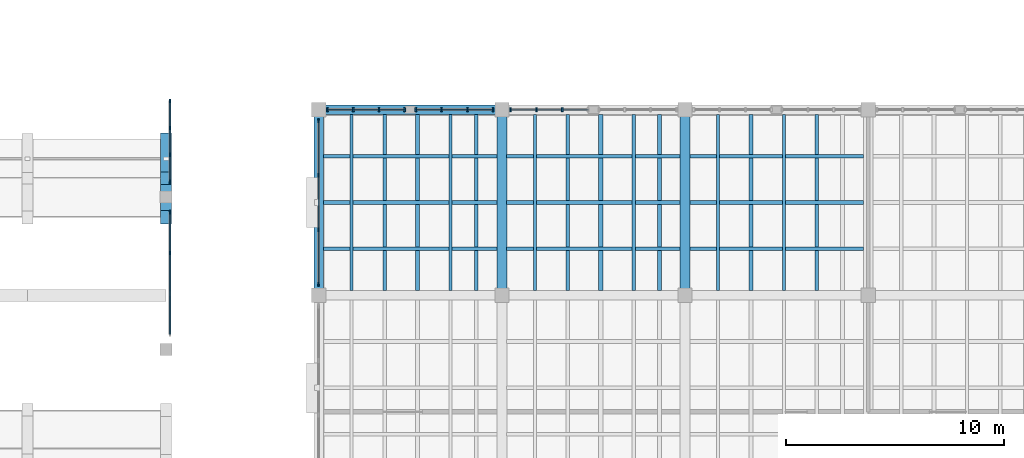
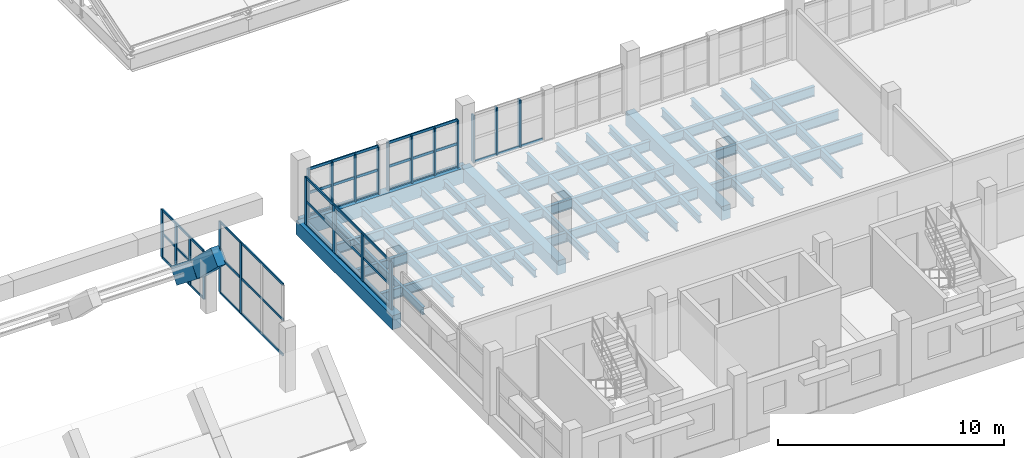
# One storey, part 9 of 48: 39 members, 27 beams, 6 elements without a shape of their own.
"""IFC4 building model written with IfcOpenShell, lengths in metres."""

from ifc_helpers import new_model, si_unit, direction, frame, origin, origin_2d, place, context, subcontext, project, spatial, rectangle, i_section, extrude, material, layer, layer_set, material_profile, profile_set, type_object, element, aggregate, save


model = new_model("IFC4")

# Units and contexts
model_context = context("Model", 3, precision=1e-05, world=origin(), true_north=direction((0.0, 1.0)))
body_context = subcontext(model_context, "Body", "Model", "MODEL_VIEW")
ifc_project = project(units=[si_unit("LENGTHUNIT", "METRE"), si_unit("AREAUNIT", "SQUARE_METRE"), si_unit("VOLUMEUNIT", "CUBIC_METRE"), si_unit("PLANEANGLEUNIT", "RADIAN"), si_unit("MASSUNIT", "GRAM", prefix="KILO")], contexts=[model_context])

# Site, building, storey
site_placement = place(None, origin())
site = spatial("IfcSite", under=ifc_project, at=site_placement, CompositionType="ELEMENT")
building_placement = place(site_placement, origin())
building = spatial("IfcBuilding", under=site, at=building_placement, Name="Trellovar Central Fire Station", CompositionType="ELEMENT")
storey_placement = place(building_placement, frame((0.0, 0.0, 9.300048828125)))
storey = spatial("IfcBuildingStorey", under=building, at=storey_placement, Name="L03", CompositionType="ELEMENT", Elevation=9.300048828125)

# Beams
ifc_material_1 = material(Name="Concrete C40/50", Category="concrete")
ifc_material_profile_1 = material_profile(ifc_material_1, rectangle(XDim=0.449951171875, YDim=0.800048828125, at=origin_2d()), Name="RC450X800")
ifc_profile_set_1 = profile_set([ifc_material_profile_1], Name="Concrete C40/50")
beam_type_1 = type_object("IfcBeamType", Name="BM-G1", PredefinedType="BEAM", material=ifc_profile_set_1)
beam_placement = place(storey_placement, frame((105.5, 33.0, -0.400146484375), z_axis=(1.0, 0.0, 0.0), x_axis=(0.0, 1.0, 0.0)))
element("IfcBeam", 1, at=beam_placement, inside=storey, type_object=beam_type_1, Name="L03 beam G-1", PredefinedType="BEAM", context=body_context, shape_type="SweptSolid", body=[
    extrude(rectangle(XDim=0.449951171875, YDim=0.800048828125, at=origin_2d()), origin(), (0.0, 0.0, 1.0), 8.39990234375),
])
ifc_material_2 = material(Name="Concrete C40/50", Category="concrete")
ifc_material_profile_2 = material_profile(ifc_material_2, rectangle(XDim=0.449951171875, YDim=0.75, at=origin_2d()), Name="RC450X750")
ifc_profile_set_2 = profile_set([ifc_material_profile_2], Name="Concrete C40/50")
beam_type_2 = type_object("IfcBeamType", Name="BM-G2", PredefinedType="BEAM", material=ifc_profile_set_2)
for number, where, z_axis, x_axis, name in (
    (2, (105.5, 24.5, -0.375), (0.0, 1.0, 0.0), (-1.0, 0.0, 0.0), "L03 beam G-2"),
    (3, (113.89990234375, 24.5, -0.375), (0.0, 1.0, 0.0), (-1.0, 0.0, 0.0), "L03 beam G-2"),
    (4, (122.300048828125, 24.5, -0.375), (0.0, 1.0, 0.0), (-1.0, 0.0, 0.0), "L03 beam G-2"),
):
    element("IfcBeam", number, at=place(storey_placement, frame(where, z_axis=z_axis, x_axis=x_axis)), inside=storey, type_object=beam_type_2, Name=name, PredefinedType="BEAM", context=body_context, shape_type="SweptSolid", body=[
        extrude(rectangle(XDim=0.449951171875, YDim=0.75, at=origin_2d()), origin(), (0.0, 0.0, 1.0), 8.5),
    ])
ifc_material_3 = material(Name="Steel ASTM A992 Grade 50", Category="steel")
ifc_material_profile_3 = material_profile(ifc_material_3, i_section(OverallWidth=0.15283203125, OverallDepth=0.45458984375, WebThickness=0.008056640625, FlangeThickness=0.01318359375, FilletRadius=0.0126953125, at=origin_2d()), Name="W18X40")
ifc_profile_set_3 = profile_set([ifc_material_profile_3], Name="Steel ASTM A992 Grade 50")
beam_type_3 = type_object("IfcBeamType", Name="BM-SW10", PredefinedType="JOIST", material=ifc_profile_set_3)
for number, where, z_axis, x_axis, name in (
    (5, (111.548095703125, 24.719970703125, -0.487548828125), (0.0, 1.0, 0.0), (-1.0, 0.0, 0.0), "L03 secondary steel deck joist"),
    (6, (119.947998046875, 24.719970703125, -0.487548828125), (0.0, 1.0, 0.0), (-1.0, 0.0, 0.0), "L03 secondary steel deck joist"),
    (7, (123.81201171875, 24.719970703125, -0.487548828125), (0.0, 1.0, 0.0), (-1.0, 0.0, 0.0), "L03 secondary steel deck joist"),
):
    element("IfcBeam", number, at=place(storey_placement, frame(where, z_axis=z_axis, x_axis=x_axis)), inside=storey, type_object=beam_type_3, Name=name, PredefinedType="JOIST", context=body_context, shape_type="SweptSolid", body=[
        extrude(i_section(OverallWidth=0.15283203125, OverallDepth=0.45458984375, WebThickness=0.008056640625, FlangeThickness=0.01318359375, FilletRadius=0.0126953125, at=origin_2d()), origin(), (0.0, 0.0, 1.0), 8.06005859375),
    ])
ifc_material_4 = material(Name="Steel ASTM A992 Grade 50", Category="steel")
ifc_material_profile_4 = material_profile(ifc_material_4, i_section(OverallWidth=0.177490234375, OverallDepth=0.40380859375, WebThickness=0.007568359375, FlangeThickness=0.010986328125, FilletRadius=0.011474609375, at=origin_2d()), Name="W16X36")
ifc_profile_set_4 = profile_set([ifc_material_profile_4], Name="Steel ASTM A992 Grade 50")
beam_type_4 = type_object("IfcBeamType", Name="BM-SW11", PredefinedType="JOIST", material=ifc_profile_set_4)
for number, where, z_axis, x_axis, name in (
    (8, (112.72412109375, 24.719970703125, -0.462158203125), (0.0, 1.0, 0.0), (-1.0, 0.0, 0.0), "L03 secondary steel deck joist"),
    (9, (121.1240234375, 24.719970703125, -0.462158203125), (0.0, 1.0, 0.0), (-1.0, 0.0, 0.0), "L03 secondary steel deck joist"),
    (10, (125.323974609375, 24.719970703125, -0.462158203125), (0.0, 1.0, 0.0), (-1.0, 0.0, 0.0), "L03 secondary steel deck joist"),
):
    element("IfcBeam", number, at=place(storey_placement, frame(where, z_axis=z_axis, x_axis=x_axis)), inside=storey, type_object=beam_type_4, Name=name, PredefinedType="JOIST", context=body_context, shape_type="SweptSolid", body=[
        extrude(i_section(OverallWidth=0.177490234375, OverallDepth=0.40380859375, WebThickness=0.007568359375, FlangeThickness=0.010986328125, FilletRadius=0.011474609375, at=origin_2d()), origin(), (0.0, 0.0, 1.0), 8.06005859375),
    ])
ifc_material_5 = material(Name="Steel ASTM A992 Grade 50", Category="steel")
ifc_material_profile_5 = material_profile(ifc_material_5, i_section(OverallWidth=0.140380859375, OverallDepth=0.4033203125, WebThickness=0.007080078125, FlangeThickness=0.01123046875, FilletRadius=0.011474609375, at=origin_2d()), Name="W16X31")
ifc_profile_set_5 = profile_set([ifc_material_profile_5], Name="Steel ASTM A992 Grade 50")
beam_type_5 = type_object("IfcBeamType", Name="BM-SW12", PredefinedType="JOIST", material=ifc_profile_set_5)
for number, where, z_axis, x_axis, name in (
    (11, (107.011962890625, 24.719970703125, -0.461669921875), (0.0, 1.0, 0.0), (-1.0, 0.0, 0.0), "L03 secondary steel deck joist"),
    (12, (115.412109375, 24.719970703125, -0.461669921875), (0.0, 1.0, 0.0), (-1.0, 0.0, 0.0), "L03 secondary steel deck joist"),
    (13, (126.8359375, 24.719970703125, -0.461669921875), (0.0, 1.0, 0.0), (-1.0, 0.0, 0.0), "L03 secondary steel deck joist"),
):
    element("IfcBeam", number, at=place(storey_placement, frame(where, z_axis=z_axis, x_axis=x_axis)), inside=storey, type_object=beam_type_5, Name=name, PredefinedType="JOIST", context=body_context, shape_type="SweptSolid", body=[
        extrude(i_section(OverallWidth=0.140380859375, OverallDepth=0.4033203125, WebThickness=0.007080078125, FlangeThickness=0.01123046875, FilletRadius=0.011474609375, at=origin_2d()), origin(), (0.0, 0.0, 1.0), 8.06005859375),
    ])
ifc_material_6 = material(Name="Steel ASTM A992 Grade 50", Category="steel")
ifc_material_profile_6 = material_profile(ifc_material_6, i_section(OverallWidth=0.166015625, OverallDepth=0.529052734375, WebThickness=0.009765625, FlangeThickness=0.013671875, FilletRadius=0.013916015625, at=origin_2d()), Name="W21X50")
ifc_profile_set_6 = profile_set([ifc_material_profile_6], Name="Steel ASTM A992 Grade 50")
beam_type_6 = type_object("IfcBeamType", Name="BM-SW8", PredefinedType="JOIST", material=ifc_profile_set_6)
for number, where, z_axis, x_axis, name in (
    (14, (105.719970703125, 26.625, -0.524658203125), (1.0, 0.0, 0.0), (0.0, 1.0, 0.0), "L03 beam SB-8"),
    (15, (105.719970703125, 28.75, -0.524658203125), (1.0, 0.0, 0.0), (0.0, 1.0, 0.0), "L03 beam SB-8"),
    (16, (105.719970703125, 30.875, -0.524658203125), (1.0, 0.0, 0.0), (0.0, 1.0, 0.0), "L03 beam SB-8"),
    (17, (114.1201171875, 26.625, -0.524658203125), (1.0, 0.0, 0.0), (0.0, 1.0, 0.0), "L03 beam SB-8"),
    (18, (114.1201171875, 28.75, -0.524658203125), (1.0, 0.0, 0.0), (0.0, 1.0, 0.0), "L03 beam SB-8"),
    (19, (114.1201171875, 30.875, -0.524658203125), (1.0, 0.0, 0.0), (0.0, 1.0, 0.0), "L03 beam SB-8"),
    (20, (122.52001953125, 26.625, -0.524658203125), (1.0, 0.0, 0.0), (0.0, 1.0, 0.0), "L03 beam SB-8"),
    (21, (122.52001953125, 28.75, -0.524658203125), (1.0, 0.0, 0.0), (0.0, 1.0, 0.0), "L03 beam SB-8"),
    (22, (122.52001953125, 30.875, -0.524658203125), (1.0, 0.0, 0.0), (0.0, 1.0, 0.0), "L03 beam SB-8"),
):
    element("IfcBeam", number, at=place(storey_placement, frame(where, z_axis=z_axis, x_axis=x_axis)), inside=storey, type_object=beam_type_6, Name=name, PredefinedType="JOIST", context=body_context, shape_type="SweptSolid", body=[
        extrude(i_section(OverallWidth=0.166015625, OverallDepth=0.529052734375, WebThickness=0.009765625, FlangeThickness=0.013671875, FilletRadius=0.013916015625, at=origin_2d()), origin(), (0.0, 0.0, 1.0), 7.9599609375),
    ])
for number, where, z_axis, x_axis, name in (
    (23, (108.52392578125, 24.719970703125, -0.524658203125), (0.0, 1.0, 0.0), (-1.0, 0.0, 0.0), "L03 secondary steel deck joist"),
    (24, (116.924072265625, 24.719970703125, -0.524658203125), (0.0, 1.0, 0.0), (-1.0, 0.0, 0.0), "L03 secondary steel deck joist"),
    (25, (128.347900390625, 24.719970703125, -0.524658203125), (0.0, 1.0, 0.0), (-1.0, 0.0, 0.0), "L03 secondary steel deck joist"),
):
    element("IfcBeam", number, at=place(storey_placement, frame(where, z_axis=z_axis, x_axis=x_axis)), inside=storey, type_object=beam_type_6, Name=name, PredefinedType="JOIST", context=body_context, shape_type="SweptSolid", body=[
        extrude(i_section(OverallWidth=0.166015625, OverallDepth=0.529052734375, WebThickness=0.009765625, FlangeThickness=0.013671875, FilletRadius=0.013916015625, at=origin_2d()), origin(), (0.0, 0.0, 1.0), 8.06005859375),
    ])
ifc_material_7 = material(Name="Steel ASTM A992 Grade 50", Category="steel")
ifc_material_profile_7 = material_profile(ifc_material_7, i_section(OverallWidth=0.1904296875, OverallDepth=0.457275390625, WebThickness=0.009033203125, FlangeThickness=0.014404296875, FilletRadius=0.0126953125, at=origin_2d()), Name="W18X50")
ifc_profile_set_7 = profile_set([ifc_material_profile_7], Name="Steel ASTM A992 Grade 50")
beam_type_7 = type_object("IfcBeamType", Name="BM-SW9", PredefinedType="JOIST", material=ifc_profile_set_7)
for number, where, z_axis, x_axis, name in (
    (26, (110.035888671875, 24.719970703125, -0.48876953125), (0.0, 1.0, 0.0), (-1.0, 0.0, 0.0), "L03 secondary steel deck joist"),
    (27, (118.43603515625, 24.719970703125, -0.48876953125), (0.0, 1.0, 0.0), (-1.0, 0.0, 0.0), "L03 secondary steel deck joist"),
):
    element("IfcBeam", number, at=place(storey_placement, frame(where, z_axis=z_axis, x_axis=x_axis)), inside=storey, type_object=beam_type_7, Name=name, PredefinedType="JOIST", context=body_context, shape_type="SweptSolid", body=[
        extrude(i_section(OverallWidth=0.1904296875, OverallDepth=0.457275390625, WebThickness=0.009033203125, FlangeThickness=0.014404296875, FilletRadius=0.0126953125, at=origin_2d()), origin(), (0.0, 0.0, 1.0), 8.06005859375),
    ])

# Curtain wall, members
ifc_material_8 = material(Name="Thermally broken bronze anodized aluminum", Category="aluminium")
ifc_layer_1 = layer(ifc_material_8, 0.159912109375)
ifc_layer_set_1 = layer_set([ifc_layer_1], Name="Thermally broken bronze anodized aluminum")
curtain_wall_type_1 = type_object("IfcCurtainWallType", Name="CW-09", PredefinedType="NOTDEFINED", material=ifc_layer_set_1)
curtain_wall_1_placement = place(storey_placement, origin())
curtain_wall_1 = element("IfcCurtainWall", 28, at=curtain_wall_1_placement, inside=storey, type_object=curtain_wall_type_1, Name="L03 curtain wall CW-9", PredefinedType="NOTDEFINED")
ifc_material_9 = material(Name="Thermally broken bronze anodized aluminum", Category="aluminium")
ifc_material_profile_8 = material_profile(ifc_material_9, rectangle(XDim=0.074951171875, YDim=0.199951171875, at=origin_2d()), Name="ALU75X200")
ifc_profile_set_8 = profile_set([ifc_material_profile_8], Name="Thermally broken bronze anodized aluminum")
member_type_1 = type_object("IfcMemberType", Name="CWM-1", PredefinedType="MULLION", material=ifc_profile_set_8)
member_1_placement = place(storey_placement, frame((113.5, 33.0, 0.0), z_axis=(0.0, 0.0, 1.0), x_axis=(1.0, 0.0, 0.0)))
member_1 = element("IfcMember", 29, at=member_1_placement, type_object=member_type_1, Name="CW3-L03-0076 mullion 1", PredefinedType="MULLION", context=body_context, shape_type="SweptSolid", body=[
    extrude(rectangle(XDim=0.074951171875, YDim=0.199951171875, at=origin_2d()), origin(), (0.0, 0.0, 1.0), 2.550048828125),
])
member_2_placement = place(storey_placement, frame((112.316650390625, 33.0, 0.0), z_axis=(0.0, 0.0, 1.0), x_axis=(1.0, 0.0, 0.0)))
member_2 = element("IfcMember", 30, at=member_2_placement, type_object=member_type_1, Name="CW3-L03-0076 mullion 2", PredefinedType="MULLION", context=body_context, shape_type="SweptSolid", body=[
    extrude(rectangle(XDim=0.074951171875, YDim=0.199951171875, at=origin_2d()), origin(), (0.0, 0.0, 1.0), 2.550048828125),
])
member_3_placement = place(storey_placement, frame((111.13330078125, 33.0, 0.0), z_axis=(0.0, 0.0, 1.0), x_axis=(1.0, 0.0, 0.0)))
member_3 = element("IfcMember", 31, at=member_3_placement, type_object=member_type_1, Name="CW3-L03-0076 mullion 3", PredefinedType="MULLION", context=body_context, shape_type="SweptSolid", body=[
    extrude(rectangle(XDim=0.074951171875, YDim=0.199951171875, at=origin_2d()), origin(), (0.0, 0.0, 1.0), 2.550048828125),
])
member_4_placement = place(storey_placement, frame((109.949951171875, 33.0, 0.0), z_axis=(0.0, 0.0, 1.0), x_axis=(1.0, 0.0, 0.0)))
member_4 = element("IfcMember", 32, at=member_4_placement, type_object=member_type_1, Name="CW3-L03-0076 mullion 4", PredefinedType="MULLION", context=body_context, shape_type="SweptSolid", body=[
    extrude(rectangle(XDim=0.074951171875, YDim=0.199951171875, at=origin_2d()), origin(), (0.0, 0.0, 1.0), 2.550048828125),
])

ifc_material_10 = material(Name="Thermally broken bronze anodized aluminum", Category="aluminium")
ifc_layer_2 = layer(ifc_material_10, 0.159912109375)
ifc_layer_set_2 = layer_set([ifc_layer_2], Name="Thermally broken bronze anodized aluminum")
curtain_wall_type_2 = type_object("IfcCurtainWallType", Name="CW-10", PredefinedType="NOTDEFINED", material=ifc_layer_set_2)
curtain_wall_2_placement = place(storey_placement, origin())
curtain_wall_2 = element("IfcCurtainWall", 33, at=curtain_wall_2_placement, inside=storey, type_object=curtain_wall_type_2, Name="L03 curtain wall CW-10", PredefinedType="NOTDEFINED")
member_5_placement = place(storey_placement, frame((109.449951171875, 33.0, 0.0), z_axis=(0.0, 0.0, 1.0), x_axis=(1.0, 0.0, 0.0)))
member_5 = element("IfcMember", 34, at=member_5_placement, type_object=member_type_1, Name="CW3-L03-0077 mullion 1", PredefinedType="MULLION", context=body_context, shape_type="SweptSolid", body=[
    extrude(rectangle(XDim=0.074951171875, YDim=0.199951171875, at=origin_2d()), origin(), (0.0, 0.0, 1.0), 2.550048828125),
])
member_6_placement = place(storey_placement, frame((108.2666015625, 33.0, 0.0), z_axis=(0.0, 0.0, 1.0), x_axis=(1.0, 0.0, 0.0)))
member_6 = element("IfcMember", 35, at=member_6_placement, type_object=member_type_1, Name="CW3-L03-0077 mullion 2", PredefinedType="MULLION", context=body_context, shape_type="SweptSolid", body=[
    extrude(rectangle(XDim=0.074951171875, YDim=0.199951171875, at=origin_2d()), origin(), (0.0, 0.0, 1.0), 2.550048828125),
])
member_7_placement = place(storey_placement, frame((107.083251953125, 33.0, 0.0), z_axis=(0.0, 0.0, 1.0), x_axis=(1.0, 0.0, 0.0)))
member_7 = element("IfcMember", 36, at=member_7_placement, type_object=member_type_1, Name="CW3-L03-0077 mullion 3", PredefinedType="MULLION", context=body_context, shape_type="SweptSolid", body=[
    extrude(rectangle(XDim=0.074951171875, YDim=0.199951171875, at=origin_2d()), origin(), (0.0, 0.0, 1.0), 2.550048828125),
])
member_8_placement = place(storey_placement, frame((105.89990234375, 33.0, 0.0), z_axis=(0.0, 0.0, 1.0), x_axis=(1.0, 0.0, 0.0)))
member_8 = element("IfcMember", 37, at=member_8_placement, type_object=member_type_1, Name="CW3-L03-0077 mullion 4", PredefinedType="MULLION", context=body_context, shape_type="SweptSolid", body=[
    extrude(rectangle(XDim=0.074951171875, YDim=0.199951171875, at=origin_2d()), origin(), (0.0, 0.0, 1.0), 2.550048828125),
])

curtain_wall_3_placement = place(storey_placement, origin())
curtain_wall_3 = element("IfcCurtainWall", 38, at=curtain_wall_3_placement, inside=storey, type_object=curtain_wall_type_2, Name="L03 curtain wall CW-10", PredefinedType="NOTDEFINED")
member_9_placement = place(storey_placement, frame((116.666748046875, 33.0, 0.0), z_axis=(0.0, 0.0, 1.0), x_axis=(1.0, 0.0, 0.0)))
member_9 = element("IfcMember", 39, at=member_9_placement, type_object=member_type_1, Name="CW3-L03-0079 mullion 2", PredefinedType="MULLION", context=body_context, shape_type="SweptSolid", body=[
    extrude(rectangle(XDim=0.074951171875, YDim=0.199951171875, at=origin_2d()), origin(), (0.0, 0.0, 1.0), 2.550048828125),
])
member_10_placement = place(storey_placement, frame((115.4833984375, 33.0, 0.0), z_axis=(0.0, 0.0, 1.0), x_axis=(1.0, 0.0, 0.0)))
member_10 = element("IfcMember", 40, at=member_10_placement, type_object=member_type_1, Name="CW3-L03-0079 mullion 3", PredefinedType="MULLION", context=body_context, shape_type="SweptSolid", body=[
    extrude(rectangle(XDim=0.074951171875, YDim=0.199951171875, at=origin_2d()), origin(), (0.0, 0.0, 1.0), 2.550048828125),
])
member_11_placement = place(storey_placement, frame((114.300048828125, 33.0, 0.0), z_axis=(0.0, 0.0, 1.0), x_axis=(1.0, 0.0, 0.0)))
member_11 = element("IfcMember", 41, at=member_11_placement, type_object=member_type_1, Name="CW3-L03-0079 mullion 4", PredefinedType="MULLION", context=body_context, shape_type="SweptSolid", body=[
    extrude(rectangle(XDim=0.074951171875, YDim=0.199951171875, at=origin_2d()), origin(), (0.0, 0.0, 1.0), 2.550048828125),
])

ifc_material_11 = material(Name="Thermally broken bronze anodized aluminum", Category="aluminium")
ifc_layer_3 = layer(ifc_material_11, 0.159912109375)
ifc_layer_set_3 = layer_set([ifc_layer_3], Name="Thermally broken bronze anodized aluminum")
curtain_wall_type_3 = type_object("IfcCurtainWallType", Name="CW-12", PredefinedType="NOTDEFINED", material=ifc_layer_set_3)
curtain_wall_4_placement = place(storey_placement, origin())
curtain_wall_4 = element("IfcCurtainWall", 42, at=curtain_wall_4_placement, inside=storey, type_object=curtain_wall_type_3, Name="V5 L03 west courtyard curtain wall", PredefinedType="NOTDEFINED")
member_12_placement = place(storey_placement, frame((105.5, 32.5, 0.0), z_axis=(0.0, 0.0, 1.0), x_axis=(1.0, 0.0, 0.0)))
member_12 = element("IfcMember", 43, at=member_12_placement, type_object=member_type_1, Name="CW3-L03-0088 mullion 1", PredefinedType="MULLION", context=body_context, shape_type="SweptSolid", body=[
    extrude(rectangle(XDim=0.074951171875, YDim=0.199951171875, at=origin_2d()), origin(), (0.0, 0.0, 1.0), 2.550048828125),
])
member_13_placement = place(storey_placement, frame((105.5, 30.0, 0.0), z_axis=(0.0, 0.0, 1.0), x_axis=(1.0, 0.0, 0.0)))
member_13 = element("IfcMember", 44, at=member_13_placement, type_object=member_type_1, Name="CW3-L03-0088 mullion 2", PredefinedType="MULLION", context=body_context, shape_type="SweptSolid", body=[
    extrude(rectangle(XDim=0.074951171875, YDim=0.199951171875, at=origin_2d()), origin(), (0.0, 0.0, 1.0), 2.550048828125),
])
member_14_placement = place(storey_placement, frame((105.5, 27.5, 0.0), z_axis=(0.0, 0.0, 1.0), x_axis=(1.0, 0.0, 0.0)))
member_14 = element("IfcMember", 45, at=member_14_placement, type_object=member_type_1, Name="CW3-L03-0088 mullion 3", PredefinedType="MULLION", context=body_context, shape_type="SweptSolid", body=[
    extrude(rectangle(XDim=0.074951171875, YDim=0.199951171875, at=origin_2d()), origin(), (0.0, 0.0, 1.0), 2.550048828125),
])
member_15_placement = place(storey_placement, frame((105.5, 25.0, 0.0), z_axis=(0.0, 0.0, 1.0), x_axis=(1.0, 0.0, 0.0)))
member_15 = element("IfcMember", 46, at=member_15_placement, type_object=member_type_1, Name="CW3-L03-0088 mullion 4", PredefinedType="MULLION", context=body_context, shape_type="SweptSolid", body=[
    extrude(rectangle(XDim=0.074951171875, YDim=0.199951171875, at=origin_2d()), origin(), (0.0, 0.0, 1.0), 2.550048828125),
])

ifc_material_12 = material(Name="Thermally broken bronze anodized aluminum", Category="aluminium")
ifc_layer_4 = layer(ifc_material_12, 0.159912109375)
ifc_layer_set_4 = layer_set([ifc_layer_4], Name="Thermally broken bronze anodized aluminum")
curtain_wall_type_4 = type_object("IfcCurtainWallType", Name="CW-04", PredefinedType="NOTDEFINED", material=ifc_layer_set_4)
curtain_wall_5_placement = place(storey_placement, origin())
curtain_wall_5 = element("IfcCurtainWall", 47, at=curtain_wall_5_placement, inside=storey, type_object=curtain_wall_type_4, Name="V1 E ski-jump gable clerestory 2", PredefinedType="NOTDEFINED")
ifc_material_13 = material(Name="Thermally broken bronze anodized aluminum", Category="aluminium")
ifc_material_profile_9 = material_profile(ifc_material_13, rectangle(XDim=0.06494140625, YDim=0.175048828125, at=origin_2d()), Name="ALU65X175")
ifc_profile_set_9 = profile_set([ifc_material_profile_9], Name="Thermally broken bronze anodized aluminum")
member_type_2 = type_object("IfcMemberType", Name="CWM-2", PredefinedType="MULLION", material=ifc_profile_set_9)
member_16_placement = place(storey_placement, frame((98.679931640625, 26.433349609375, 1.300048828125), z_axis=(0.0, 0.0, 1.0), x_axis=(1.0, 0.0, 0.0)))
member_16 = element("IfcMember", 48, at=member_16_placement, type_object=member_type_2, Name="CW3-L03-0017 mullion 3", PredefinedType="MULLION", context=body_context, shape_type="SweptSolid", body=[
    extrude(rectangle(XDim=0.06494140625, YDim=0.175048828125, at=origin_2d()), origin(), (0.0, 0.0, 1.0), 3.7998046875),
])
member_17_placement = place(storey_placement, frame((98.679931640625, 28.300048828125, 1.300048828125), z_axis=(0.0, 0.0, 1.0), x_axis=(1.0, 0.0, 0.0)))
member_17 = element("IfcMember", 49, at=member_17_placement, type_object=member_type_2, Name="CW3-L03-0017 mullion 4", PredefinedType="MULLION", context=body_context, shape_type="SweptSolid", body=[
    extrude(rectangle(XDim=0.06494140625, YDim=0.175048828125, at=origin_2d()), origin(), (0.0, 0.0, 1.0), 3.7998046875),
])

ifc_material_14 = material(Name="Thermally broken bronze anodized aluminum", Category="aluminium")
ifc_layer_5 = layer(ifc_material_14, 0.159912109375)
ifc_layer_set_5 = layer_set([ifc_layer_5], Name="Thermally broken bronze anodized aluminum")
curtain_wall_type_5 = type_object("IfcCurtainWallType", Name="CW-08", PredefinedType="NOTDEFINED", material=ifc_layer_set_5)
curtain_wall_6_placement = place(storey_placement, origin())
curtain_wall_6 = element("IfcCurtainWall", 50, at=curtain_wall_6_placement, inside=storey, type_object=curtain_wall_type_5, Name="V1 E ski-jump gable clerestory 3", PredefinedType="NOTDEFINED")
member_18_placement = place(storey_placement, frame((98.679931640625, 29.699951171875, 0.099853515625), z_axis=(0.0, 0.0, 1.0), x_axis=(1.0, 0.0, 0.0)))
member_18 = element("IfcMember", 51, at=member_18_placement, type_object=member_type_2, Name="CW3-L03-0018 mullion 1", PredefinedType="MULLION", context=body_context, shape_type="SweptSolid", body=[
    extrude(rectangle(XDim=0.06494140625, YDim=0.175048828125, at=origin_2d()), origin(), (0.0, 0.0, 1.0), 2.550048828125),
])
member_19_placement = place(storey_placement, frame((98.679931640625, 30.933349609375, 0.099853515625), z_axis=(0.0, 0.0, 1.0), x_axis=(1.0, 0.0, 0.0)))
member_19 = element("IfcMember", 52, at=member_19_placement, type_object=member_type_2, Name="CW3-L03-0018 mullion 2", PredefinedType="MULLION", context=body_context, shape_type="SweptSolid", body=[
    extrude(rectangle(XDim=0.06494140625, YDim=0.175048828125, at=origin_2d()), origin(), (0.0, 0.0, 1.0), 2.550048828125),
])
member_20_placement = place(storey_placement, frame((98.679931640625, 32.166748046875, 0.099853515625), z_axis=(0.0, 0.0, 1.0), x_axis=(1.0, 0.0, 0.0)))
member_20 = element("IfcMember", 53, at=member_20_placement, type_object=member_type_2, Name="CW3-L03-0018 mullion 3", PredefinedType="MULLION", context=body_context, shape_type="SweptSolid", body=[
    extrude(rectangle(XDim=0.06494140625, YDim=0.175048828125, at=origin_2d()), origin(), (0.0, 0.0, 1.0), 2.550048828125),
])
member_21_placement = place(storey_placement, frame((98.679931640625, 33.39990234375, 0.099853515625), z_axis=(0.0, 0.0, 1.0), x_axis=(1.0, 0.0, 0.0)))
member_21 = element("IfcMember", 54, at=member_21_placement, type_object=member_type_2, Name="CW3-L03-0018 mullion 4", PredefinedType="MULLION", context=body_context, shape_type="SweptSolid", body=[
    extrude(rectangle(XDim=0.06494140625, YDim=0.175048828125, at=origin_2d()), origin(), (0.0, 0.0, 1.0), 2.550048828125),
])

# Member
ifc_material_15 = material(Name="Thermally broken bronze anodized aluminum", Category="aluminium")
ifc_material_profile_10 = material_profile(ifc_material_15, rectangle(XDim=0.06005859375, YDim=0.139892578125, at=origin_2d()), Name="ALU60X140")
ifc_profile_set_10 = profile_set([ifc_material_profile_10], Name="Thermally broken bronze anodized aluminum")
member_type_3 = type_object("IfcMemberType", Name="CWT-1", PredefinedType="USERDEFINED", material=ifc_profile_set_10)
member_22_placement = place(storey_placement, frame((113.5, 33.0, 0.0), z_axis=(-1.0, 0.0, 0.0), x_axis=(0.0, -1.0, 0.0)))
member_22 = element("IfcMember", 55, at=member_22_placement, type_object=member_type_3, Name="CW3-L03-0076 transom 1", ObjectType="TRANSOM", PredefinedType="USERDEFINED", context=body_context, shape_type="SweptSolid", body=[
    extrude(rectangle(XDim=0.06005859375, YDim=0.139892578125, at=origin_2d()), origin(), (0.0, 0.0, 1.0), 3.550048828125),
])

member_23_placement = place(storey_placement, frame((113.5, 33.0, 1.27490234375), z_axis=(-1.0, 0.0, 0.0), x_axis=(0.0, -1.0, 0.0)))
member_23 = element("IfcMember", 56, at=member_23_placement, type_object=member_type_3, Name="CW3-L03-0076 transom 2", ObjectType="TRANSOM", PredefinedType="USERDEFINED", context=body_context, shape_type="SweptSolid", body=[
    extrude(rectangle(XDim=0.06005859375, YDim=0.139892578125, at=origin_2d()), origin(), (0.0, 0.0, 1.0), 3.550048828125),
])

member_24_placement = place(storey_placement, frame((113.5, 33.0, 2.550048828125), z_axis=(-1.0, 0.0, 0.0), x_axis=(0.0, -1.0, 0.0)))
member_24 = element("IfcMember", 57, at=member_24_placement, type_object=member_type_3, Name="CW3-L03-0076 transom 3", ObjectType="TRANSOM", PredefinedType="USERDEFINED", context=body_context, shape_type="SweptSolid", body=[
    extrude(rectangle(XDim=0.06005859375, YDim=0.139892578125, at=origin_2d()), origin(), (0.0, 0.0, 1.0), 3.550048828125),
])

aggregate(curtain_wall_1, [member_1, member_2, member_3, member_4, member_22, member_23, member_24])

member_25_placement = place(storey_placement, frame((109.449951171875, 33.0, 0.0), z_axis=(-1.0, 0.0, 0.0), x_axis=(0.0, -1.0, 0.0)))
member_25 = element("IfcMember", 58, at=member_25_placement, type_object=member_type_3, Name="CW3-L03-0077 transom 1", ObjectType="TRANSOM", PredefinedType="USERDEFINED", context=body_context, shape_type="SweptSolid", body=[
    extrude(rectangle(XDim=0.06005859375, YDim=0.139892578125, at=origin_2d()), origin(), (0.0, 0.0, 1.0), 3.550048828125),
])

member_26_placement = place(storey_placement, frame((109.449951171875, 33.0, 1.27490234375), z_axis=(-1.0, 0.0, 0.0), x_axis=(0.0, -1.0, 0.0)))
member_26 = element("IfcMember", 59, at=member_26_placement, type_object=member_type_3, Name="CW3-L03-0077 transom 2", ObjectType="TRANSOM", PredefinedType="USERDEFINED", context=body_context, shape_type="SweptSolid", body=[
    extrude(rectangle(XDim=0.06005859375, YDim=0.139892578125, at=origin_2d()), origin(), (0.0, 0.0, 1.0), 3.550048828125),
])

member_27_placement = place(storey_placement, frame((109.449951171875, 33.0, 2.550048828125), z_axis=(-1.0, 0.0, 0.0), x_axis=(0.0, -1.0, 0.0)))
member_27 = element("IfcMember", 60, at=member_27_placement, type_object=member_type_3, Name="CW3-L03-0077 transom 3", ObjectType="TRANSOM", PredefinedType="USERDEFINED", context=body_context, shape_type="SweptSolid", body=[
    extrude(rectangle(XDim=0.06005859375, YDim=0.139892578125, at=origin_2d()), origin(), (0.0, 0.0, 1.0), 3.550048828125),
])

aggregate(curtain_wall_2, [member_5, member_6, member_7, member_8, member_25, member_26, member_27])

member_28_placement = place(storey_placement, frame((117.85009765625, 33.0, 0.0), z_axis=(-1.0, 0.0, 0.0), x_axis=(0.0, -1.0, 0.0)))
member_28 = element("IfcMember", 61, at=member_28_placement, type_object=member_type_3, Name="CW3-L03-0079 transom 1", ObjectType="TRANSOM", PredefinedType="USERDEFINED", context=body_context, shape_type="SweptSolid", body=[
    extrude(rectangle(XDim=0.06005859375, YDim=0.139892578125, at=origin_2d()), origin(), (0.0, 0.0, 1.0), 3.550048828125),
])

aggregate(curtain_wall_3, [member_9, member_10, member_11, member_28])

member_29_placement = place(storey_placement, frame((105.5, 32.5, 0.0), z_axis=(0.0, -1.0, 0.0), x_axis=(1.0, 0.0, 0.0)))
member_29 = element("IfcMember", 62, at=member_29_placement, type_object=member_type_3, Name="CW3-L03-0088 transom 1", ObjectType="TRANSOM", PredefinedType="USERDEFINED", context=body_context, shape_type="SweptSolid", body=[
    extrude(rectangle(XDim=0.06005859375, YDim=0.139892578125, at=origin_2d()), origin(), (0.0, 0.0, 1.0), 7.5),
])

member_30_placement = place(storey_placement, frame((105.5, 32.5, 1.27490234375), z_axis=(0.0, -1.0, 0.0), x_axis=(1.0, 0.0, 0.0)))
member_30 = element("IfcMember", 63, at=member_30_placement, type_object=member_type_3, Name="CW3-L03-0088 transom 2", ObjectType="TRANSOM", PredefinedType="USERDEFINED", context=body_context, shape_type="SweptSolid", body=[
    extrude(rectangle(XDim=0.06005859375, YDim=0.139892578125, at=origin_2d()), origin(), (0.0, 0.0, 1.0), 7.5),
])

member_31_placement = place(storey_placement, frame((105.5, 32.5, 2.550048828125), z_axis=(0.0, -1.0, 0.0), x_axis=(1.0, 0.0, 0.0)))
member_31 = element("IfcMember", 64, at=member_31_placement, type_object=member_type_3, Name="CW3-L03-0088 transom 3", ObjectType="TRANSOM", PredefinedType="USERDEFINED", context=body_context, shape_type="SweptSolid", body=[
    extrude(rectangle(XDim=0.06005859375, YDim=0.139892578125, at=origin_2d()), origin(), (0.0, 0.0, 1.0), 7.5),
])

aggregate(curtain_wall_4, [member_12, member_13, member_14, member_15, member_29, member_30, member_31])

ifc_material_16 = material(Name="Thermally broken bronze anodized aluminum", Category="aluminium")
ifc_material_profile_11 = material_profile(ifc_material_16, rectangle(XDim=0.06005859375, YDim=0.1201171875, at=origin_2d()), Name="ALU60X120")
ifc_profile_set_11 = profile_set([ifc_material_profile_11], Name="Thermally broken bronze anodized aluminum")
member_type_4 = type_object("IfcMemberType", Name="CWT-2", PredefinedType="USERDEFINED", material=ifc_profile_set_11)
member_32_placement = place(storey_placement, frame((98.679931640625, 22.699951171875, 1.300048828125), z_axis=(0.0, 1.0, 0.0), x_axis=(-1.0, 0.0, 0.0)))
member_32 = element("IfcMember", 65, at=member_32_placement, type_object=member_type_4, Name="CW3-L03-0017 transom 1", ObjectType="TRANSOM", PredefinedType="USERDEFINED", context=body_context, shape_type="SweptSolid", body=[
    extrude(rectangle(XDim=0.06005859375, YDim=0.1201171875, at=origin_2d()), origin(), (0.0, 0.0, 1.0), 5.60009765625),
])

member_33_placement = place(storey_placement, frame((98.679931640625, 22.699951171875, 3.199951171875), z_axis=(0.0, 1.0, 0.0), x_axis=(-1.0, 0.0, 0.0)))
member_33 = element("IfcMember", 66, at=member_33_placement, type_object=member_type_4, Name="CW3-L03-0017 transom 2", ObjectType="TRANSOM", PredefinedType="USERDEFINED", context=body_context, shape_type="SweptSolid", body=[
    extrude(rectangle(XDim=0.06005859375, YDim=0.1201171875, at=origin_2d()), origin(), (0.0, 0.0, 1.0), 5.60009765625),
])

member_34_placement = place(storey_placement, frame((98.679931640625, 22.699951171875, 5.099853515625), z_axis=(0.0, 1.0, 0.0), x_axis=(-1.0, 0.0, 0.0)))
member_34 = element("IfcMember", 67, at=member_34_placement, type_object=member_type_4, Name="CW3-L03-0017 transom 3", ObjectType="TRANSOM", PredefinedType="USERDEFINED", context=body_context, shape_type="SweptSolid", body=[
    extrude(rectangle(XDim=0.06005859375, YDim=0.1201171875, at=origin_2d()), origin(), (0.0, 0.0, 1.0), 5.60009765625),
])

aggregate(curtain_wall_5, [member_16, member_17, member_32, member_33, member_34])

member_35_placement = place(storey_placement, frame((98.679931640625, 29.699951171875, 0.099853515625), z_axis=(0.0, 1.0, 0.0), x_axis=(-1.0, 0.0, 0.0)))
member_35 = element("IfcMember", 68, at=member_35_placement, type_object=member_type_4, Name="CW3-L03-0018 transom 1", ObjectType="TRANSOM", PredefinedType="USERDEFINED", context=body_context, shape_type="SweptSolid", body=[
    extrude(rectangle(XDim=0.06005859375, YDim=0.1201171875, at=origin_2d()), origin(), (0.0, 0.0, 1.0), 3.699951171875),
])

member_36_placement = place(storey_placement, frame((98.679931640625, 29.699951171875, 1.375), z_axis=(0.0, 1.0, 0.0), x_axis=(-1.0, 0.0, 0.0)))
member_36 = element("IfcMember", 69, at=member_36_placement, type_object=member_type_4, Name="CW3-L03-0018 transom 2", ObjectType="TRANSOM", PredefinedType="USERDEFINED", context=body_context, shape_type="SweptSolid", body=[
    extrude(rectangle(XDim=0.06005859375, YDim=0.1201171875, at=origin_2d()), origin(), (0.0, 0.0, 1.0), 3.699951171875),
])

member_37_placement = place(storey_placement, frame((98.679931640625, 29.699951171875, 2.64990234375), z_axis=(0.0, 1.0, 0.0), x_axis=(-1.0, 0.0, 0.0)))
member_37 = element("IfcMember", 70, at=member_37_placement, type_object=member_type_4, Name="CW3-L03-0018 transom 3", ObjectType="TRANSOM", PredefinedType="USERDEFINED", context=body_context, shape_type="SweptSolid", body=[
    extrude(rectangle(XDim=0.06005859375, YDim=0.1201171875, at=origin_2d()), origin(), (0.0, 0.0, 1.0), 3.699951171875),
])

aggregate(curtain_wall_6, [member_18, member_19, member_20, member_21, member_35, member_36, member_37])

# Members
ifc_material_17 = material(Name="Concrete C40/50", Category="concrete")
ifc_material_profile_12 = material_profile(ifc_material_17, rectangle(XDim=0.5, YDim=0.89990234375, at=origin_2d()), Name="RC500X900")
ifc_profile_set_12 = profile_set([ifc_material_profile_12], Name="Concrete C40/50")
member_type_5 = type_object("IfcMemberType", Name="MEM-AR1", PredefinedType="CHORD", material=ifc_profile_set_12)
member_38_placement = place(storey_placement, frame((98.5, 28.066650390625, 3.457275390625), z_axis=(0.0, 0.717773123424, -0.696277059287), x_axis=(-1.0, 0.0, 0.0)))
element("IfcMember", 71, at=member_38_placement, inside=storey, type_object=member_type_5, Name="Parabolic arch rib AR-11 chord 09", PredefinedType="CHORD", context=body_context, shape_type="SweptSolid", body=[
    extrude(rectangle(XDim=0.5, YDim=0.89990234375, at=origin_2d()), origin(), (0.0, 0.0, 1.0), 2.49853515625),
])
member_39_placement = place(storey_placement, frame((98.5, 29.860107421875, 1.717529296875), z_axis=(0.0, 0.782321473021, -0.622874877363), x_axis=(-1.0, 0.0, 0.0)))
element("IfcMember", 72, at=member_39_placement, inside=storey, type_object=member_type_5, Name="Parabolic arch rib AR-11 chord 10", PredefinedType="CHORD", context=body_context, shape_type="SweptSolid", body=[
    extrude(rectangle(XDim=0.5, YDim=0.89990234375, at=origin_2d()), origin(), (0.0, 0.0, 1.0), 2.292236328125),
])

save(model, "model.ifc")
